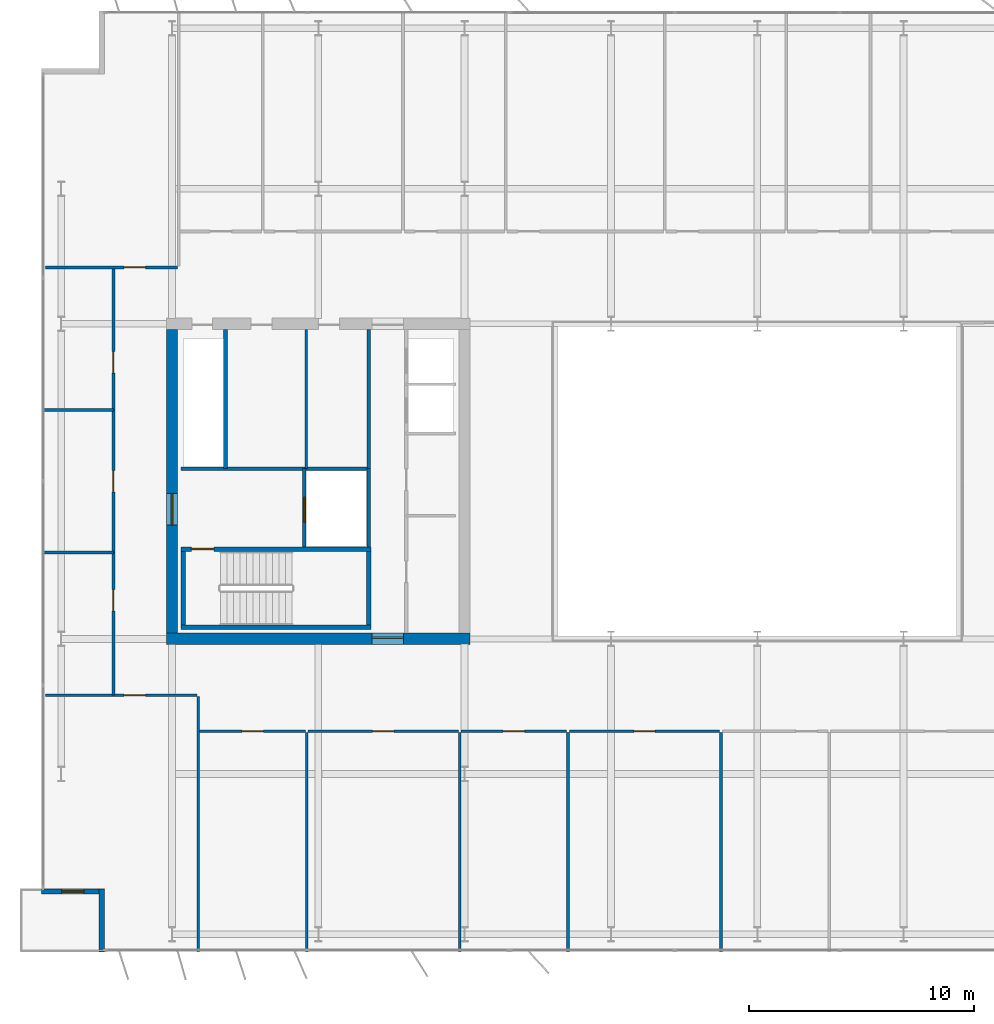
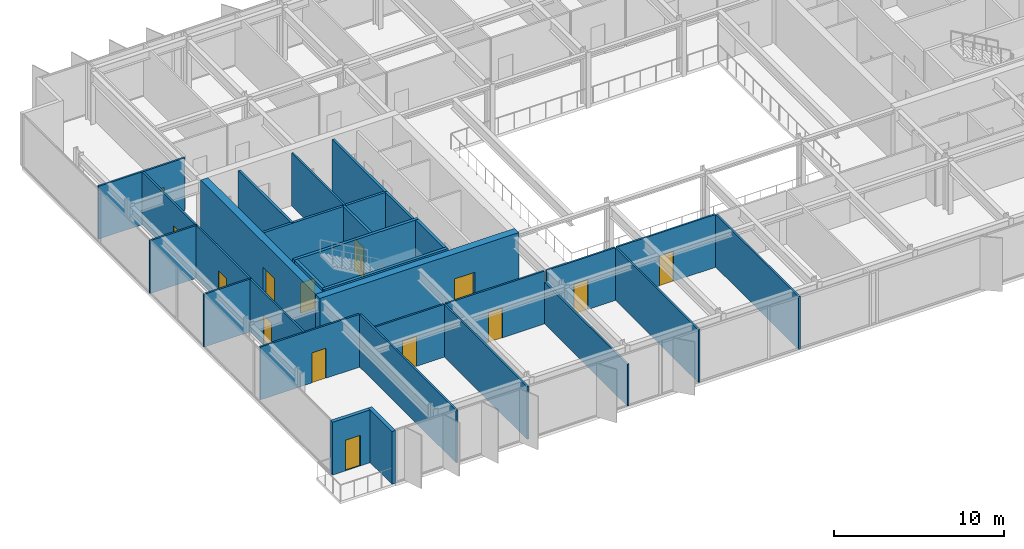
# One storey, part 13 of 20: 30 walls, 14 doors, 14 openings.
"""IFC4 building model written with IfcOpenShell, lengths in metres."""

import ifcopenshell
import ifcopenshell.guid

model = None  # the IFC model being written
_history = None  # IfcOwnerHistory: only IFC2X3 demands one
_inside = {}  # id of a spatial element -> (the spatial element, [elements in it])
_under = {}  # id of a project, library or spatial element -> (it, [spatial elements below it])
_declared = {}  # id of a project -> (the project, [libraries it declares])
_typed = {}  # id of a type object -> (the type object, [elements of that type])
_made_of = {}  # id of a material, layer set ... -> (it, [elements and type objects made of it])


def new_model(schema):
    """Start an empty IFC model of exactly this schema.

    Asked for "IFC4X3", IfcOpenShell would pick the latest addendum, in which some entities
    have other attributes; the version numbers below select the first issue.
    IFC2X3 requires an IfcOwnerHistory on every rooted entity: one is made here for all.
    """
    global model, _history
    if schema == "IFC4X3":
        model = ifcopenshell.file(schema_version=(4, 3, 0, 0))
    else:
        model = ifcopenshell.file(schema=schema)
    _inside.clear()
    _under.clear()
    _declared.clear()
    _typed.clear()
    _made_of.clear()
    _history = None
    if model.schema == "IFC2X3":
        org = make("IfcOrganization", Name="unknown")
        user = make(
            "IfcPersonAndOrganization",
            ThePerson=make("IfcPerson", FamilyName="unknown"),
            TheOrganization=org,
        )
        app = make(
            "IfcApplication",
            ApplicationDeveloper=org,
            Version="unknown",
            ApplicationFullName="unknown",
            ApplicationIdentifier="unknown",
        )
        _history = make(
            "IfcOwnerHistory",
            OwningUser=user,
            OwningApplication=app,
            ChangeAction="ADDED",
            CreationDate=0,
        )
    return model


def make(cls, **values):
    """One entity of the class cls with the attributes given. An attribute that is None is left unset."""
    return model.create_entity(
        cls, **{name: value for name, value in values.items() if value is not None}
    )


def rooted(cls, **values):
    """An entity with a GlobalId (a new one), such as an element, a storey or a relation."""
    return make(cls, GlobalId=ifcopenshell.guid.new(), OwnerHistory=_history, **values)


def si_unit(unit_type, name, prefix=None):
    """IfcSIUnit, for example si_unit("LENGTHUNIT", "METRE", prefix="MILLI")."""
    return make("IfcSIUnit", UnitType=unit_type, Prefix=prefix, Name=name)


def assignment(units):
    """IfcUnitAssignment: the units of a project."""
    return None if units is None else make("IfcUnitAssignment", Units=units)


def point(xyz):
    """IfcCartesianPoint."""
    return None if xyz is None else make("IfcCartesianPoint", Coordinates=xyz)


def direction(xyz):
    """IfcDirection."""
    return None if xyz is None else make("IfcDirection", DirectionRatios=xyz)


def frame(location, z_axis=None, x_axis=None):
    """IfcAxis2Placement3D, a coordinate frame: its origin and axes. An axis left out is left unset."""
    return make(
        "IfcAxis2Placement3D",
        Location=point(location),
        Axis=direction(z_axis),
        RefDirection=direction(x_axis),
    )


def frame_2d(location, x_axis=None):
    """IfcAxis2Placement2D, a coordinate frame in the plane: its origin and x axis."""
    return make(
        "IfcAxis2Placement2D", Location=point(location), RefDirection=direction(x_axis)
    )


def origin():
    """The frame at (0, 0, 0) with its axes left unset."""
    return frame((0.0, 0.0, 0.0))


def place(relative_to, where):
    """IfcLocalPlacement: puts the frame where relative to a parent placement (None: the world)."""
    return make(
        "IfcLocalPlacement", PlacementRelTo=relative_to, RelativePlacement=where
    )


def context(
    kind, dimensions, precision=None, world=None, true_north=None, identifier=None
):
    """IfcGeometricRepresentationContext, for example the 3D "Model" context."""
    return make(
        "IfcGeometricRepresentationContext",
        ContextIdentifier=identifier,
        ContextType=kind,
        CoordinateSpaceDimension=dimensions,
        Precision=precision,
        WorldCoordinateSystem=world,
        TrueNorth=true_north,
    )


def subcontext(parent, identifier, kind, view, scale=None):
    """IfcGeometricRepresentationSubContext, for example "Body" below "Model"."""
    return make(
        "IfcGeometricRepresentationSubContext",
        ContextIdentifier=identifier,
        ContextType=kind,
        ParentContext=parent,
        TargetScale=scale,
        TargetView=view,
    )


def project(units=None, contexts=None):
    """IfcProject with its units and contexts."""
    return rooted(
        "IfcProject",
        Name="project",
        RepresentationContexts=contexts,
        UnitsInContext=assignment(units),
    )


def spatial(cls, under=None, at=None, **own):
    """A site, building, storey or space (cls), placed at a placement, below another one or the project."""
    s = rooted(cls, ObjectPlacement=at, **own)
    if under is not None:
        _under.setdefault(under.id(), (under, []))[1].append(s)
    return s


def profile(cls, at=None, kind="AREA", **sizes):
    """A parametric profile (cls). Its sizes go by their IFC names, for example OverallWidth=200.0."""
    return make(cls, ProfileType=kind, Position=at, **sizes)


def rectangle(**sizes):
    """IfcRectangleProfileDef."""
    return profile("IfcRectangleProfileDef", **sizes)


def extrude(swept, where, along, depth):
    """IfcExtrudedAreaSolid: the profile swept, set in the frame where, extruded along a direction by depth."""
    return make(
        "IfcExtrudedAreaSolid",
        SweptArea=swept,
        Position=where,
        ExtrudedDirection=direction(along),
        Depth=depth,
    )


def shape(context_of_items, identifier, shape_type, items):
    """IfcShapeRepresentation: the items that make up one representation, for example the "Body"."""
    return make(
        "IfcShapeRepresentation",
        ContextOfItems=context_of_items,
        RepresentationIdentifier=identifier,
        RepresentationType=shape_type,
        Items=items,
    )


def material(Name=None, Category=None):
    """IfcMaterial."""
    return make("IfcMaterial", Name=Name, Category=Category)


def layer(
    of_material, thickness, ventilated=None, Name=None, Category=None, Priority=None
):
    """IfcMaterialLayer: one layer of a wall or slab, of a material (None: an air gap)."""
    return make(
        "IfcMaterialLayer",
        Material=of_material,
        LayerThickness=thickness,
        IsVentilated=ventilated,
        Name=Name,
        Category=Category,
        Priority=Priority,
    )


def layer_set(layers, Name=None):
    """IfcMaterialLayerSet."""
    return make("IfcMaterialLayerSet", MaterialLayers=layers, LayerSetName=Name)


def made_of(thing, what):
    """Note that an element or type object is made of a material, layer set ...; save() writes the relation."""
    if what is not None:
        _made_of.setdefault(what.id(), (what, []))[1].append(thing)
    return thing


def type_object(cls, material=None, **own):
    """A type object (cls), such as IfcWallType, which elements share."""
    return made_of(rooted(cls, **own), material)


def element(
    cls,
    number,
    at=None,
    inside=None,
    cuts=None,
    type_object=None,
    material=None,
    context=None,
    identifier="Body",
    shape_type=None,
    held_by="IfcProductDefinitionShape",
    body=None,
    shapes=None,
    **own,
):
    """One element of the class cls, such as IfcWall. Its Tag is "e" and its number.

    at: its placement. inside: the storey or other place that contains it. cuts: it is an
    opening in that element (IfcRelVoidsElement). A single representation is given by context,
    identifier, shape_type and body (its items); several are given by shapes. held_by: the class
    of the entity that holds the representations. save() writes the other relations.
    """
    e = rooted(cls, Tag="e%d" % number, ObjectPlacement=at, **own)
    if body is not None:
        shapes = [shape(context, identifier, shape_type, body)]
    if shapes is not None:
        e.Representation = make(held_by, Representations=shapes)
    if inside is not None:
        _inside.setdefault(inside.id(), (inside, []))[1].append(e)
    if cuts is not None:
        rooted(
            "IfcRelVoidsElement", RelatingBuildingElement=cuts, RelatedOpeningElement=e
        )
    if type_object is not None:
        _typed.setdefault(type_object.id(), (type_object, []))[1].append(e)
    return made_of(e, material)


def fill(opening, filler):
    """IfcRelFillsElement: the door or window that sits in an opening."""
    return rooted(
        "IfcRelFillsElement",
        RelatingOpeningElement=opening,
        RelatedBuildingElement=filler,
    )


def aggregate(whole, parts):
    """IfcRelAggregates: a whole, such as a stair, and the parts it consists of."""
    return rooted("IfcRelAggregates", RelatingObject=whole, RelatedObjects=parts)


def save(model, path):
    """Write the relations noted so far, then the file.

    IfcRelAggregates (storeys below a building ...), IfcRelContainedInSpatialStructure (elements
    in a storey), IfcRelDefinesByType, IfcRelAssociatesMaterial and IfcRelDeclares: one each for
    every whole, place, type object, material and project.
    """
    for whole, parts in _under.values():
        aggregate(whole, parts)
    for where, things in _inside.values():
        rooted(
            "IfcRelContainedInSpatialStructure",
            RelatedElements=things,
            RelatingStructure=where,
        )
    for kind, things in _typed.values():
        rooted("IfcRelDefinesByType", RelatedObjects=things, RelatingType=kind)
    for what, things in _made_of.values():
        rooted("IfcRelAssociatesMaterial", RelatedObjects=things, RelatingMaterial=what)
    for by, libraries in _declared.values():
        rooted("IfcRelDeclares", RelatingContext=by, RelatedDefinitions=libraries)
    model.write(path)


model = new_model("IFC4")

# Units and contexts
model_context = context("Model", 3, precision=1e-05, world=origin(), true_north=direction((0.0, 1.0)))
body_context = subcontext(model_context, "Body", "Model", "MODEL_VIEW")
ifc_project = project(units=[si_unit("LENGTHUNIT", "METRE"), si_unit("AREAUNIT", "SQUARE_METRE"), si_unit("VOLUMEUNIT", "CUBIC_METRE"), si_unit("PLANEANGLEUNIT", "RADIAN"), si_unit("MASSUNIT", "GRAM", prefix="KILO")], contexts=[model_context])

# Site, building, storey
site_placement = place(None, origin())
site = spatial("IfcSite", under=ifc_project, at=site_placement, CompositionType="ELEMENT")
building_placement = place(site_placement, origin())
building = spatial("IfcBuilding", under=site, at=building_placement, Name="Putna Gate Headquarters", CompositionType="ELEMENT")
storey_placement = place(building_placement, frame((0.0, 0.0, 290.39990234375)))
storey = spatial("IfcBuildingStorey", under=building, at=storey_placement, Name="L73", CompositionType="ELEMENT", Elevation=290.39990234375)

# Wall, opening, door
ifc_material_1 = material(Name="Concrete C50/60", Category="concrete")
ifc_layer_1 = layer(ifc_material_1, 0.5)
ifc_layer_set_1 = layer_set([ifc_layer_1], Name="Concrete C50/60")
wall_type_1 = type_object("IfcWallType", Name="WALL-CORE-500", PredefinedType="SHEAR", material=ifc_layer_set_1)
wall_1_placement = place(storey_placement, frame((12.75, 19.0, 0.0), z_axis=(0.0, 0.0, 1.0), x_axis=(1.0, 0.0, 0.0)))
wall_1 = element("IfcWall", 1, at=wall_1_placement, inside=storey, type_object=wall_type_1, Name="L73 WC Split Core Shear Wall S", PredefinedType="SHEAR", context=body_context, shape_type="SweptSolid", body=[
    extrude(rectangle(XDim=13.5, YDim=0.5, at=frame_2d((6.75, 0.0))), origin(), (0.0, 0.0, 1.0), 4.0),
])
opening_1_placement = place(wall_1_placement, frame((9.1298828125, 0.0, 0.0)))
opening_1 = element("IfcOpeningElement", 2, at=opening_1_placement, cuts=wall_1, Name="Opening FDD-140", PredefinedType="OPENING", context=body_context, shape_type="SweptSolid", body=[
    extrude(rectangle(XDim=1.39990234375, YDim=2.199951171875, at=frame_2d((0.699951171875, 1.10009765625))), frame((0.0, 0.260009765625, 0.0), z_axis=(0.0, -1.0, 0.0), x_axis=(1.0, 0.0, 0.0)), (0.0, 0.0, 1.0), 0.52001953125),
])
ifc_material_2 = material(Name="Double steel fire door", Category="steel")
door_type_1 = type_object("IfcDoorType", Name="DOOR-FIRE-DBL-1400", OperationType="DOUBLE_DOOR_SINGLE_SWING", PredefinedType="DOOR", material=ifc_material_2)
door_1_placement = place(opening_1_placement, origin())
door_1 = element("IfcDoor", 3, at=door_1_placement, inside=storey, type_object=door_type_1, Name="L73 West Lift Lobby South Door", OperationType="DOUBLE_DOOR_SINGLE_SWING", OverallHeight=2.199951171875, OverallWidth=1.39990234375, PredefinedType="DOOR", context=body_context, shape_type="SweptSolid", body=[
    extrude(rectangle(XDim=1.39990234375, YDim=2.199951171875, at=frame_2d((0.699951171875, 1.10009765625))), frame((0.0, 0.0751953125, 0.0), z_axis=(0.0, -1.0, 0.0), x_axis=(1.0, 0.0, 0.0)), (0.0, 0.0, 1.0), 0.050048828125),
])
fill(opening_1, door_1)

wall_2_placement = place(storey_placement, frame((13.0, 19.25, 0.0), z_axis=(0.0, 0.0, 1.0), x_axis=(0.0, 1.0, 0.0)))
wall_2 = element("IfcWall", 4, at=wall_2_placement, inside=storey, type_object=wall_type_1, Name="L73 WC Split Core Shear Wall W", PredefinedType="SHEAR", context=body_context, shape_type="SweptSolid", body=[
    extrude(rectangle(XDim=13.5, YDim=0.5, at=frame_2d((6.75, 0.0))), origin(), (0.0, 0.0, 1.0), 4.0),
])
opening_2_placement = place(wall_2_placement, frame((4.800048828125, 0.0, 0.0)))
opening_2 = element("IfcOpeningElement", 5, at=opening_2_placement, cuts=wall_2, Name="Opening FDD-140", PredefinedType="OPENING", context=body_context, shape_type="SweptSolid", body=[
    extrude(rectangle(XDim=1.39990234375, YDim=2.199951171875, at=frame_2d((0.699951171875, 1.10009765625))), frame((0.0, 0.260009765625, 0.0), z_axis=(0.0, -1.0, 0.0), x_axis=(1.0, 0.0, 0.0)), (0.0, 0.0, 1.0), 0.52001953125),
])
door_2_placement = place(opening_2_placement, origin())
door_2 = element("IfcDoor", 6, at=door_2_placement, inside=storey, type_object=door_type_1, Name="L73 West Firefighting Lobby Door", OperationType="DOUBLE_DOOR_SINGLE_SWING", OverallHeight=2.199951171875, OverallWidth=1.39990234375, PredefinedType="DOOR", context=body_context, shape_type="SweptSolid", body=[
    extrude(rectangle(XDim=1.39990234375, YDim=2.199951171875, at=frame_2d((0.699951171875, 1.10009765625))), frame((0.0, 0.02490234375, 0.0), z_axis=(0.0, -1.0, 0.0), x_axis=(1.0, 0.0, 0.0)), (0.0, 0.0, 1.0), 0.050048828125),
])
fill(opening_2, door_2)

# Wall
ifc_material_3 = material(Name="Precast concrete C40/50", Category="concrete")
ifc_layer_2 = layer(ifc_material_3, 0.239990234375)
ifc_layer_set_2 = layer_set([ifc_layer_2], Name="Precast concrete C40/50")
wall_type_2 = type_object("IfcWallType", Name="WALL-EXT-TERR-240", PredefinedType="STANDARD", material=ifc_layer_set_2)
wall_3_placement = place(storey_placement, frame((9.8798828125, 5.10009765625, 0.0), z_axis=(0.0, 0.0, 1.0), x_axis=(0.0, 1.0, 0.0)))
element("IfcWall", 7, at=wall_3_placement, inside=storey, type_object=wall_type_2, Name="L73 Corner Notch Return Wall SW-V", PredefinedType="STANDARD", context=body_context, shape_type="SweptSolid", body=[
    extrude(rectangle(XDim=2.7998046875, YDim=0.239990234375, at=frame_2d((1.39990234375, 0.0))), origin(), (0.0, 0.0, 1.0), 3.7880859375),
])

# Wall, opening, door
wall_4_placement = place(storey_placement, frame((10.0, 7.780029296875, 0.0), z_axis=(0.0, 0.0, 1.0), x_axis=(-1.0, 0.0, 0.0)))
wall_4 = element("IfcWall", 8, at=wall_4_placement, inside=storey, type_object=wall_type_2, Name="L73 Corner Notch Return Wall SW-H", PredefinedType="STANDARD", context=body_context, shape_type="SweptSolid", body=[
    extrude(rectangle(XDim=2.800048828125, YDim=0.239990234375, at=frame_2d((1.39990234375, 0.0))), origin(), (0.0, 0.0, 1.0), 3.7880859375),
])
opening_3_placement = place(wall_4_placement, frame((0.89990234375, 0.0, 0.0)))
opening_3 = element("IfcOpeningElement", 9, at=opening_3_placement, cuts=wall_4, Name="Opening TRD-1", PredefinedType="OPENING", context=body_context, shape_type="SweptSolid", body=[
    extrude(rectangle(XDim=1.0, YDim=2.199951171875, at=frame_2d((0.5, 1.10009765625))), frame((0.0, 0.1298828125, 0.0), z_axis=(0.0, -1.0, 0.0), x_axis=(1.0, 0.0, 0.0)), (0.0, 0.0, 1.0), 0.260009765625),
])
ifc_material_4 = material(Name="Thermally broken bronze glazed terrace door")
door_type_2 = type_object("IfcDoorType", Name="DOOR-TERR-EXT-1000", OperationType="NOTDEFINED", PredefinedType="DOOR", material=ifc_material_4)
door_3_placement = place(opening_3_placement, origin())
door_3 = element("IfcDoor", 10, at=door_3_placement, inside=storey, type_object=door_type_2, Name="L73 Spiral Sky Terrace Door SW", OperationType="SINGLE_SWING_LEFT", OverallHeight=2.199951171875, OverallWidth=1.0, PredefinedType="DOOR", context=body_context, shape_type="SweptSolid", body=[
    extrude(rectangle(XDim=1.0, YDim=2.199951171875, at=frame_2d((0.5, 1.10009765625))), frame((0.0, 0.02490234375, 0.0), z_axis=(0.0, -1.0, 0.0), x_axis=(1.0, 0.0, 0.0)), (0.0, 0.0, 1.0), 0.050048828125),
])
fill(opening_3, door_3)

# Walls
ifc_material_5 = material(Name="Acoustic gypsum board on metal stud")
ifc_layer_3 = layer(ifc_material_5, 0.1201171875)
ifc_layer_set_3 = layer_set([ifc_layer_3], Name="Acoustic gypsum board on metal stud")
wall_type_3 = type_object("IfcWallType", Name="WALL-PART-120", PredefinedType="PARTITIONING", material=ifc_layer_set_3)
wall_5_placement = place(storey_placement, frame((14.174072265625, 5.1201171875, 0.0), z_axis=(0.0, 0.0, 1.0), x_axis=(0.0, 1.0, 0.0)))
element("IfcWall", 11, at=wall_5_placement, inside=storey, type_object=wall_type_3, Name="L73 Interior Wall PART-L73-SB-DIV-01", PredefinedType="PARTITIONING", context=body_context, shape_type="SweptSolid", body=[
    extrude(rectangle(XDim=11.31982421875, YDim=0.1201171875, at=frame_2d((5.659912109375, 0.0))), origin(), (0.0, 0.0, 1.0), 3.7880859375),
])
wall_6_placement = place(storey_placement, frame((18.98681640625, 5.1201171875, 0.0), z_axis=(0.0, 0.0, 1.0), x_axis=(0.0, 1.0, 0.0)))
element("IfcWall", 12, at=wall_6_placement, inside=storey, type_object=wall_type_3, Name="L73 Interior Wall PART-L73-SB-DIV-02", PredefinedType="PARTITIONING", context=body_context, shape_type="SweptSolid", body=[
    extrude(rectangle(XDim=9.719970703125, YDim=0.1201171875, at=frame_2d((4.85986328125, 0.0))), origin(), (0.0, 0.0, 1.0), 3.7880859375),
])
wall_7_placement = place(storey_placement, frame((25.78076171875, 5.1201171875, 0.0), z_axis=(0.0, 0.0, 1.0), x_axis=(0.0, 1.0, 0.0)))
element("IfcWall", 13, at=wall_7_placement, inside=storey, type_object=wall_type_3, Name="L73 Interior Wall PART-L73-SB-DIV-03", PredefinedType="PARTITIONING", context=body_context, shape_type="SweptSolid", body=[
    extrude(rectangle(XDim=9.719970703125, YDim=0.1201171875, at=frame_2d((4.85986328125, 0.0))), origin(), (0.0, 0.0, 1.0), 2.988037109375),
])
for number, where, z_axis, x_axis, name in (
    (14, (30.59326171875, 5.1201171875, 0.0), (0.0, 0.0, 1.0), (0.0, 1.0, 0.0), "L73 Interior Wall PART-L73-SB-DIV-04"),
    (15, (37.387451171875, 5.1201171875, 0.0), (0.0, 0.0, 1.0), (0.0, 1.0, 0.0), "L73 Interior Wall PART-L73-SB-DIV-05"),
):
    element("IfcWall", number, at=place(storey_placement, frame(where, z_axis=z_axis, x_axis=x_axis)), inside=storey, type_object=wall_type_3, Name=name, PredefinedType="PARTITIONING", context=body_context, shape_type="SweptSolid", body=[
        extrude(rectangle(XDim=9.719970703125, YDim=0.1201171875, at=frame_2d((4.85986328125, 0.0))), origin(), (0.0, 0.0, 1.0), 3.7880859375),
    ])
for number, where, z_axis, x_axis, name in (
    (16, (7.219970703125, 22.833251953125, 0.0), (0.0, 0.0, 1.0), (1.0, 0.0, 0.0), "L73 Interior Wall PART-L73-WW-DIV-1"),
    (17, (7.219970703125, 29.166748046875, 0.0), (0.0, 0.0, 1.0), (1.0, 0.0, 0.0), "L73 Interior Wall PART-L73-WW-DIV-2"),
):
    element("IfcWall", number, at=place(storey_placement, frame(where, z_axis=z_axis, x_axis=x_axis)), inside=storey, type_object=wall_type_3, Name=name, PredefinedType="PARTITIONING", context=body_context, shape_type="SweptSolid", body=[
        extrude(rectangle(XDim=3.179931640625, YDim=0.1201171875, at=frame_2d((1.58984375, 0.0))), origin(), (0.0, 0.0, 1.0), 3.7880859375),
    ])
ifc_material_6 = material(Name="Fire-rated gypsum board on metal stud")
ifc_layer_4 = layer(ifc_material_6, 0.1201171875)
ifc_layer_set_4 = layer_set([ifc_layer_4], Name="Fire-rated gypsum board on metal stud")
wall_type_4 = type_object("IfcWallType", Name="WALL-PART-120-RATED", PredefinedType="PARTITIONING", material=ifc_layer_set_4)
wall_8_placement = place(storey_placement, frame((18.969970703125, 26.56005859375, 0.0), z_axis=(0.0, 0.0, 1.0), x_axis=(0.0, 1.0, 0.0)))
element("IfcWall", 18, at=wall_8_placement, inside=storey, type_object=wall_type_4, Name="L73 Interior Wall CWINT-L73-WC-K0-DIV", PredefinedType="PARTITIONING", context=body_context, shape_type="SweptSolid", body=[
    extrude(rectangle(XDim=6.18994140625, YDim=0.1201171875, at=frame_2d((3.094970703125, 0.0))), origin(), (0.0, 0.0, 1.0), 3.7880859375),
])

# Wall, opening, door
wall_9_placement = place(storey_placement, frame((7.3798828125, 35.5, 0.0), z_axis=(0.0, 0.0, 1.0), x_axis=(1.0, 0.0, 0.0)))
wall_9 = element("IfcWall", 19, at=wall_9_placement, inside=storey, type_object=wall_type_4, Name="L73 Interior Wall PART-L73-NB-CW-01", PredefinedType="PARTITIONING", context=body_context, shape_type="SweptSolid", body=[
    extrude(rectangle(XDim=5.864501953125, YDim=0.1201171875, at=frame_2d((2.93212890625, 0.0))), origin(), (0.0, 0.0, 1.0), 3.7880859375),
])
opening_4_placement = place(wall_9_placement, frame((3.5, 0.0, 0.0)))
opening_4 = element("IfcOpeningElement", 20, at=opening_4_placement, cuts=wall_9, Name="Opening FD-95", PredefinedType="OPENING", context=body_context, shape_type="SweptSolid", body=[
    extrude(rectangle(XDim=0.949951171875, YDim=2.14990234375, at=frame_2d((0.47509765625, 1.074951171875))), frame((0.0, 0.070068359375, 0.0), z_axis=(0.0, -1.0, 0.0), x_axis=(1.0, 0.0, 0.0)), (0.0, 0.0, 1.0), 0.14013671875),
])
ifc_material_7 = material(Name="Acoustic timber fire door", Category="wood")
door_type_3 = type_object("IfcDoorType", Name="DOOR-FIRE-950", OperationType="NOTDEFINED", PredefinedType="DOOR", material=ifc_material_7)
door_4_placement = place(opening_4_placement, origin())
door_4 = element("IfcDoor", 21, at=door_4_placement, inside=storey, type_object=door_type_3, Name="L73 Conference Meeting Room 6 Door", OperationType="SINGLE_SWING_RIGHT", OverallHeight=2.14990234375, OverallWidth=0.949951171875, PredefinedType="DOOR", context=body_context, shape_type="SweptSolid", body=[
    extrude(rectangle(XDim=0.949951171875, YDim=2.14990234375, at=frame_2d((0.47509765625, 1.074951171875))), frame((0.0, 0.02490234375, 0.0), z_axis=(0.0, -1.0, 0.0), x_axis=(1.0, 0.0, 0.0)), (0.0, 0.0, 1.0), 0.050048828125),
])
fill(opening_4, door_4)

wall_10_placement = place(storey_placement, frame((7.3798828125, 16.5, 0.0), z_axis=(0.0, 0.0, 1.0), x_axis=(1.0, 0.0, 0.0)))
wall_10 = element("IfcWall", 22, at=wall_10_placement, inside=storey, type_object=wall_type_4, Name="L73 Interior Wall PART-L73-SB-CW-01", PredefinedType="PARTITIONING", context=body_context, shape_type="SweptSolid", body=[
    extrude(rectangle(XDim=6.734130859375, YDim=0.1201171875, at=frame_2d((3.3671875, 0.0))), origin(), (0.0, 0.0, 1.0), 3.7880859375),
])
opening_5_placement = place(wall_10_placement, frame((3.5, 0.0, 0.0)))
opening_5 = element("IfcOpeningElement", 23, at=opening_5_placement, cuts=wall_10, Name="Opening FD-95", PredefinedType="OPENING", context=body_context, shape_type="SweptSolid", body=[
    extrude(rectangle(XDim=0.949951171875, YDim=2.14990234375, at=frame_2d((0.47509765625, 1.074951171875))), frame((0.0, 0.070068359375, 0.0), z_axis=(0.0, -1.0, 0.0), x_axis=(1.0, 0.0, 0.0)), (0.0, 0.0, 1.0), 0.14013671875),
])
door_5_placement = place(opening_5_placement, origin())
door_5 = element("IfcDoor", 24, at=door_5_placement, inside=storey, type_object=door_type_3, Name="L73 Collaborative Breakout Lounge 1 Door", OperationType="SINGLE_SWING_RIGHT", OverallHeight=2.14990234375, OverallWidth=0.949951171875, PredefinedType="DOOR", context=body_context, shape_type="SweptSolid", body=[
    extrude(rectangle(XDim=0.949951171875, YDim=2.14990234375, at=frame_2d((0.47509765625, 1.074951171875))), frame((0.0, 0.02490234375, 0.0), z_axis=(0.0, -1.0, 0.0), x_axis=(1.0, 0.0, 0.0)), (0.0, 0.0, 1.0), 0.050048828125),
])
fill(opening_5, door_5)

wall_11_placement = place(storey_placement, frame((14.234130859375, 14.89990234375, 0.0), z_axis=(0.0, 0.0, 1.0), x_axis=(1.0, 0.0, 0.0)))
wall_11 = element("IfcWall", 25, at=wall_11_placement, inside=storey, type_object=wall_type_4, Name="L73 Interior Wall PART-L73-SB-CW-02", PredefinedType="PARTITIONING", context=body_context, shape_type="SweptSolid", body=[
    extrude(rectangle(XDim=4.692626953125, YDim=0.1201171875, at=frame_2d((2.34619140625, 0.0))), origin(), (0.0, 0.0, 1.0), 3.7880859375),
])
opening_6_placement = place(wall_11_placement, frame((1.871337890625, 0.0, 0.0)))
opening_6 = element("IfcOpeningElement", 26, at=opening_6_placement, cuts=wall_11, Name="Opening FD-95", PredefinedType="OPENING", context=body_context, shape_type="SweptSolid", body=[
    extrude(rectangle(XDim=0.949951171875, YDim=2.14990234375, at=frame_2d((0.47509765625, 1.074951171875))), frame((0.0, 0.070068359375, 0.0), z_axis=(0.0, -1.0, 0.0), x_axis=(1.0, 0.0, 0.0)), (0.0, 0.0, 1.0), 0.14013671875),
])
door_6_placement = place(opening_6_placement, origin())
door_6 = element("IfcDoor", 27, at=door_6_placement, inside=storey, type_object=door_type_3, Name="L73 Conference Meeting Room 1 Door", OperationType="SINGLE_SWING_LEFT", OverallHeight=2.14990234375, OverallWidth=0.949951171875, PredefinedType="DOOR", context=body_context, shape_type="SweptSolid", body=[
    extrude(rectangle(XDim=0.949951171875, YDim=2.14990234375, at=frame_2d((0.47509765625, 1.074951171875))), frame((0.0, 0.02490234375, 0.0), z_axis=(0.0, -1.0, 0.0), x_axis=(1.0, 0.0, 0.0)), (0.0, 0.0, 1.0), 0.050048828125),
])
fill(opening_6, door_6)

wall_12_placement = place(storey_placement, frame((19.046630859375, 14.89990234375, 0.0), z_axis=(0.0, 0.0, 1.0), x_axis=(1.0, 0.0, 0.0)))
wall_12 = element("IfcWall", 28, at=wall_12_placement, inside=storey, type_object=wall_type_4, Name="L73 Interior Wall PART-L73-SB-CW-03", PredefinedType="PARTITIONING", context=body_context, shape_type="SweptSolid", body=[
    extrude(rectangle(XDim=6.674072265625, YDim=0.1201171875, at=frame_2d((3.3369140625, 0.0))), origin(), (0.0, 0.0, 1.0), 3.7880859375),
])
opening_7_placement = place(wall_12_placement, frame((2.862060546875, 0.0, 0.0)))
opening_7 = element("IfcOpeningElement", 29, at=opening_7_placement, cuts=wall_12, Name="Opening FD-95", PredefinedType="OPENING", context=body_context, shape_type="SweptSolid", body=[
    extrude(rectangle(XDim=0.949951171875, YDim=2.14990234375, at=frame_2d((0.47509765625, 1.074951171875))), frame((0.0, 0.070068359375, 0.0), z_axis=(0.0, -1.0, 0.0), x_axis=(1.0, 0.0, 0.0)), (0.0, 0.0, 1.0), 0.14013671875),
])
door_7_placement = place(opening_7_placement, origin())
door_7 = element("IfcDoor", 30, at=door_7_placement, inside=storey, type_object=door_type_3, Name="L73 Conference Meeting Room 2 Door", OperationType="SINGLE_SWING_RIGHT", OverallHeight=2.14990234375, OverallWidth=0.949951171875, PredefinedType="DOOR", context=body_context, shape_type="SweptSolid", body=[
    extrude(rectangle(XDim=0.949951171875, YDim=2.14990234375, at=frame_2d((0.47509765625, 1.074951171875))), frame((0.0, 0.02490234375, 0.0), z_axis=(0.0, -1.0, 0.0), x_axis=(1.0, 0.0, 0.0)), (0.0, 0.0, 1.0), 0.050048828125),
])
fill(opening_7, door_7)

wall_13_placement = place(storey_placement, frame((25.8408203125, 14.89990234375, 0.0), z_axis=(0.0, 0.0, 1.0), x_axis=(1.0, 0.0, 0.0)))
wall_13 = element("IfcWall", 31, at=wall_13_placement, inside=storey, type_object=wall_type_4, Name="L73 Interior Wall PART-L73-SB-CW-04", PredefinedType="PARTITIONING", context=body_context, shape_type="SweptSolid", body=[
    extrude(rectangle(XDim=4.6923828125, YDim=0.1201171875, at=frame_2d((2.34619140625, 0.0))), origin(), (0.0, 0.0, 1.0), 3.7880859375),
])
opening_8_placement = place(wall_13_placement, frame((1.87109375, 0.0, 0.0)))
opening_8 = element("IfcOpeningElement", 32, at=opening_8_placement, cuts=wall_13, Name="Opening FD-95", PredefinedType="OPENING", context=body_context, shape_type="SweptSolid", body=[
    extrude(rectangle(XDim=0.949951171875, YDim=2.14990234375, at=frame_2d((0.47509765625, 1.074951171875))), frame((0.0, 0.070068359375, 0.0), z_axis=(0.0, -1.0, 0.0), x_axis=(1.0, 0.0, 0.0)), (0.0, 0.0, 1.0), 0.14013671875),
])
door_8_placement = place(opening_8_placement, origin())
door_8 = element("IfcDoor", 33, at=door_8_placement, inside=storey, type_object=door_type_3, Name="L73 Conference Meeting Room 3 Door", OperationType="SINGLE_SWING_LEFT", OverallHeight=2.14990234375, OverallWidth=0.949951171875, PredefinedType="DOOR", context=body_context, shape_type="SweptSolid", body=[
    extrude(rectangle(XDim=0.949951171875, YDim=2.14990234375, at=frame_2d((0.47509765625, 1.074951171875))), frame((0.0, 0.02490234375, 0.0), z_axis=(0.0, -1.0, 0.0), x_axis=(1.0, 0.0, 0.0)), (0.0, 0.0, 1.0), 0.050048828125),
])
fill(opening_8, door_8)

wall_14_placement = place(storey_placement, frame((30.6533203125, 14.89990234375, 0.0), z_axis=(0.0, 0.0, 1.0), x_axis=(1.0, 0.0, 0.0)))
wall_14 = element("IfcWall", 34, at=wall_14_placement, inside=storey, type_object=wall_type_4, Name="L73 Interior Wall PART-L73-SB-CW-05", PredefinedType="PARTITIONING", context=body_context, shape_type="SweptSolid", body=[
    extrude(rectangle(XDim=6.674072265625, YDim=0.1201171875, at=frame_2d((3.3369140625, 0.0))), origin(), (0.0, 0.0, 1.0), 3.7880859375),
])
opening_9_placement = place(wall_14_placement, frame((2.862060546875, 0.0, 0.0)))
opening_9 = element("IfcOpeningElement", 35, at=opening_9_placement, cuts=wall_14, Name="Opening FD-95", PredefinedType="OPENING", context=body_context, shape_type="SweptSolid", body=[
    extrude(rectangle(XDim=0.949951171875, YDim=2.14990234375, at=frame_2d((0.47509765625, 1.074951171875))), frame((0.0, 0.070068359375, 0.0), z_axis=(0.0, -1.0, 0.0), x_axis=(1.0, 0.0, 0.0)), (0.0, 0.0, 1.0), 0.14013671875),
])
door_9_placement = place(opening_9_placement, origin())
door_9 = element("IfcDoor", 36, at=door_9_placement, inside=storey, type_object=door_type_3, Name="L73 Conference Meeting Room 4 Door", OperationType="SINGLE_SWING_RIGHT", OverallHeight=2.14990234375, OverallWidth=0.949951171875, PredefinedType="DOOR", context=body_context, shape_type="SweptSolid", body=[
    extrude(rectangle(XDim=0.949951171875, YDim=2.14990234375, at=frame_2d((0.47509765625, 1.074951171875))), frame((0.0, 0.02490234375, 0.0), z_axis=(0.0, -1.0, 0.0), x_axis=(1.0, 0.0, 0.0)), (0.0, 0.0, 1.0), 0.050048828125),
])
fill(opening_9, door_9)

wall_15_placement = place(storey_placement, frame((10.39990234375, 16.5, 0.0), z_axis=(0.0, 0.0, 1.0), x_axis=(0.0, 1.0, 0.0)))
wall_15 = element("IfcWall", 37, at=wall_15_placement, inside=storey, type_object=wall_type_4, Name="L73 Interior Wall PART-L73-WW-CW-1", PredefinedType="PARTITIONING", context=body_context, shape_type="SweptSolid", body=[
    extrude(rectangle(XDim=6.333251953125, YDim=0.1201171875, at=frame_2d((3.16650390625, 0.0))), origin(), (0.0, 0.0, 1.0), 3.7880859375),
])
opening_10_placement = place(wall_15_placement, frame((3.74169921875, 0.0, 0.0)))
opening_10 = element("IfcOpeningElement", 38, at=opening_10_placement, cuts=wall_15, Name="Opening FD-95", PredefinedType="OPENING", context=body_context, shape_type="SweptSolid", body=[
    extrude(rectangle(XDim=0.949951171875, YDim=2.14990234375, at=frame_2d((0.47509765625, 1.074951171875))), frame((0.0, 0.070068359375, 0.0), z_axis=(0.0, -1.0, 0.0), x_axis=(1.0, 0.0, 0.0)), (0.0, 0.0, 1.0), 0.14013671875),
])
door_10_placement = place(opening_10_placement, origin())
door_10 = element("IfcDoor", 39, at=door_10_placement, inside=storey, type_object=door_type_3, Name="L73 West Executive Office 1 Door", OperationType="SINGLE_SWING_RIGHT", OverallHeight=2.14990234375, OverallWidth=0.949951171875, PredefinedType="DOOR", context=body_context, shape_type="SweptSolid", body=[
    extrude(rectangle(XDim=0.949951171875, YDim=2.14990234375, at=frame_2d((0.47509765625, 1.074951171875))), frame((0.0, 0.02490234375, 0.0), z_axis=(0.0, -1.0, 0.0), x_axis=(1.0, 0.0, 0.0)), (0.0, 0.0, 1.0), 0.050048828125),
])
fill(opening_10, door_10)

wall_16_placement = place(storey_placement, frame((10.39990234375, 22.833251953125, 0.0), z_axis=(0.0, 0.0, 1.0), x_axis=(0.0, 1.0, 0.0)))
wall_16 = element("IfcWall", 40, at=wall_16_placement, inside=storey, type_object=wall_type_4, Name="L73 Interior Wall PART-L73-WW-CW-2", PredefinedType="PARTITIONING", context=body_context, shape_type="SweptSolid", body=[
    extrude(rectangle(XDim=6.33349609375, YDim=0.1201171875, at=frame_2d((3.166748046875, 0.0))), origin(), (0.0, 0.0, 1.0), 3.7880859375),
])
opening_11_placement = place(wall_16_placement, frame((2.691650390625, 0.0, 0.0)))
opening_11 = element("IfcOpeningElement", 41, at=opening_11_placement, cuts=wall_16, Name="Opening FD-95", PredefinedType="OPENING", context=body_context, shape_type="SweptSolid", body=[
    extrude(rectangle(XDim=0.949951171875, YDim=2.14990234375, at=frame_2d((0.47509765625, 1.074951171875))), frame((0.0, 0.070068359375, 0.0), z_axis=(0.0, -1.0, 0.0), x_axis=(1.0, 0.0, 0.0)), (0.0, 0.0, 1.0), 0.14013671875),
])
door_11_placement = place(opening_11_placement, origin())
door_11 = element("IfcDoor", 42, at=door_11_placement, inside=storey, type_object=door_type_3, Name="L73 West Executive Office 2 Door", OperationType="SINGLE_SWING_LEFT", OverallHeight=2.14990234375, OverallWidth=0.949951171875, PredefinedType="DOOR", context=body_context, shape_type="SweptSolid", body=[
    extrude(rectangle(XDim=0.949951171875, YDim=2.14990234375, at=frame_2d((0.47509765625, 1.074951171875))), frame((0.0, 0.02490234375, 0.0), z_axis=(0.0, -1.0, 0.0), x_axis=(1.0, 0.0, 0.0)), (0.0, 0.0, 1.0), 0.050048828125),
])
fill(opening_11, door_11)

wall_17_placement = place(storey_placement, frame((10.39990234375, 29.166748046875, 0.0), z_axis=(0.0, 0.0, 1.0), x_axis=(0.0, 1.0, 0.0)))
wall_17 = element("IfcWall", 43, at=wall_17_placement, inside=storey, type_object=wall_type_4, Name="L73 Interior Wall PART-L73-WW-CW-3", PredefinedType="PARTITIONING", context=body_context, shape_type="SweptSolid", body=[
    extrude(rectangle(XDim=6.333251953125, YDim=0.1201171875, at=frame_2d((3.16650390625, 0.0))), origin(), (0.0, 0.0, 1.0), 3.7880859375),
])
opening_12_placement = place(wall_17_placement, frame((1.6416015625, 0.0, 0.0)))
opening_12 = element("IfcOpeningElement", 44, at=opening_12_placement, cuts=wall_17, Name="Opening FD-95", PredefinedType="OPENING", context=body_context, shape_type="SweptSolid", body=[
    extrude(rectangle(XDim=0.949951171875, YDim=2.14990234375, at=frame_2d((0.47509765625, 1.074951171875))), frame((0.0, 0.070068359375, 0.0), z_axis=(0.0, -1.0, 0.0), x_axis=(1.0, 0.0, 0.0)), (0.0, 0.0, 1.0), 0.14013671875),
])
door_12_placement = place(opening_12_placement, origin())
door_12 = element("IfcDoor", 45, at=door_12_placement, inside=storey, type_object=door_type_3, Name="L73 West Project Meeting Room 3 Door", OperationType="SINGLE_SWING_RIGHT", OverallHeight=2.14990234375, OverallWidth=0.949951171875, PredefinedType="DOOR", context=body_context, shape_type="SweptSolid", body=[
    extrude(rectangle(XDim=0.949951171875, YDim=2.14990234375, at=frame_2d((0.47509765625, 1.074951171875))), frame((0.0, 0.02490234375, 0.0), z_axis=(0.0, -1.0, 0.0), x_axis=(1.0, 0.0, 0.0)), (0.0, 0.0, 1.0), 0.050048828125),
])
fill(opening_12, door_12)

# Wall
ifc_material_8 = material(Name="Concrete C40/50", Category="concrete")
ifc_layer_5 = layer(ifc_material_8, 0.159912109375)
ifc_layer_set_5 = layer_set([ifc_layer_5], Name="Concrete C40/50")
wall_type_5 = type_object("IfcWallType", Name="WALL-SHAFT-160", PredefinedType="STANDARD", material=ifc_layer_set_5)
wall_18_placement = place(storey_placement, frame((21.739990234375, 23.090087890625, 0.0), z_axis=(0.0, 0.0, 1.0), x_axis=(0.0, 1.0, 0.0)))
element("IfcWall", 46, at=wall_18_placement, inside=storey, type_object=wall_type_5, Name="L73 Interior Wall CWINT-L73-WC-FFL-E", PredefinedType="STANDARD", context=body_context, shape_type="SweptSolid", body=[
    extrude(rectangle(XDim=3.469970703125, YDim=0.159912109375, at=frame_2d((1.73486328125, 0.0))), origin(), (0.0, 0.0, 1.0), 3.7880859375),
])

# Wall, opening, door
wall_19_placement = place(storey_placement, frame((18.8798828125, 23.090087890625, 0.0), z_axis=(0.0, 0.0, 1.0), x_axis=(0.0, 1.0, 0.0)))
wall_19 = element("IfcWall", 47, at=wall_19_placement, inside=storey, type_object=wall_type_5, Name="L73 Interior Wall CWINT-L73-WC-LF13-W", PredefinedType="STANDARD", context=body_context, shape_type="SweptSolid", body=[
    extrude(rectangle(XDim=3.469970703125, YDim=0.159912109375, at=frame_2d((1.73486328125, 0.0))), origin(), (0.0, 0.0, 1.0), 3.7880859375),
])
opening_13_placement = place(wall_19_placement, frame((1.10009765625, 0.0, 0.0)))
opening_13 = element("IfcOpeningElement", 48, at=opening_13_placement, cuts=wall_19, Name="Opening LD-1", PredefinedType="OPENING", context=body_context, shape_type="SweptSolid", body=[
    extrude(rectangle(XDim=1.10009765625, YDim=2.199951171875, at=frame_2d((0.550048828125, 1.10009765625))), frame((0.0, 0.08984375, 0.0), z_axis=(0.0, -1.0, 0.0), x_axis=(1.0, 0.0, 0.0)), (0.0, 0.0, 1.0), 0.179931640625),
])
ifc_material_9 = material(Name="Brushed bronze stainless lift landing door")
door_type_4 = type_object("IfcDoorType", Name="DOOR-LIFT-1100", OperationType="DOUBLE_DOOR_SLIDING", PredefinedType="DOOR", material=ifc_material_9)
door_13_placement = place(opening_13_placement, origin())
door_13 = element("IfcDoor", 49, at=door_13_placement, inside=storey, type_object=door_type_4, Name="L73 Lift Landing Door LD-13", OperationType="DOUBLE_DOOR_SLIDING", OverallHeight=2.199951171875, OverallWidth=1.10009765625, PredefinedType="DOOR", context=body_context, shape_type="SweptSolid", body=[
    extrude(rectangle(XDim=1.10009765625, YDim=2.199951171875, at=frame_2d((0.550048828125, 1.10009765625))), frame((0.0, 0.02490234375, 0.0), z_axis=(0.0, -1.0, 0.0), x_axis=(1.0, 0.0, 0.0)), (0.0, 0.0, 1.0), 0.050048828125),
])
fill(opening_13, door_13)

# Walls
wall_20_placement = place(storey_placement, frame((13.39990234375, 26.56005859375, 0.0), z_axis=(0.0, 0.0, 1.0), x_axis=(1.0, 0.0, 0.0)))
element("IfcWall", 50, at=wall_20_placement, inside=storey, type_object=wall_type_5, Name="L73 Interior Wall CWINT-L73-WC-FFL-N", PredefinedType="STANDARD", context=body_context, shape_type="SweptSolid", body=[
    extrude(rectangle(XDim=8.340087890625, YDim=0.159912109375, at=frame_2d((4.169921875, 0.0))), origin(), (0.0, 0.0, 1.0), 3.7880859375),
])
for number, where, z_axis, x_axis, name in (
    (51, (15.3798828125, 26.56005859375, 0.0), (0.0, 0.0, 1.0), (0.0, 1.0, 0.0), "L73 Interior Wall CWINT-L73-WC-RISER-E"),
    (52, (21.739990234375, 26.56005859375, 0.0), (0.0, 0.0, 1.0), (0.0, 1.0, 0.0), "L73 Interior Wall CWINT-L73-WC-LOB-W"),
):
    element("IfcWall", number, at=place(storey_placement, frame(where, z_axis=z_axis, x_axis=x_axis)), inside=storey, type_object=wall_type_5, Name=name, PredefinedType="STANDARD", context=body_context, shape_type="SweptSolid", body=[
        extrude(rectangle(XDim=6.18994140625, YDim=0.159912109375, at=frame_2d((3.094970703125, 0.0))), origin(), (0.0, 0.0, 1.0), 3.7880859375),
    ])
ifc_layer_6 = layer(ifc_material_8, 0.199951171875)
ifc_layer_set_6 = layer_set([ifc_layer_6], Name="Concrete C40/50")
wall_type_6 = type_object("IfcWallType", Name="WALL-SHAFT-RC200", PredefinedType="SHEAR", material=ifc_layer_set_6)
wall_21_placement = place(storey_placement, frame((13.409912109375, 19.510009765625, 0.0), z_axis=(0.0, 0.0, 1.0), x_axis=(1.0, 0.0, 0.0)))
element("IfcWall", 53, at=wall_21_placement, inside=storey, type_object=wall_type_6, Name="L73 Stair ST1 Structural Shaft Wall S", PredefinedType="SHEAR", context=body_context, shape_type="SweptSolid", body=[
    extrude(rectangle(XDim=8.43017578125, YDim=0.199951171875, at=frame_2d((4.215087890625, 0.0))), origin(), (0.0, 0.0, 1.0), 4.0),
])

# Wall, opening, door
wall_22_placement = place(storey_placement, frame((13.409912109375, 22.989990234375, 0.0), z_axis=(0.0, 0.0, 1.0), x_axis=(1.0, 0.0, 0.0)))
wall_22 = element("IfcWall", 54, at=wall_22_placement, inside=storey, type_object=wall_type_6, Name="L73 Stair ST1 Structural Shaft Wall N", PredefinedType="SHEAR", context=body_context, shape_type="SweptSolid", body=[
    extrude(rectangle(XDim=8.43017578125, YDim=0.199951171875, at=frame_2d((4.215087890625, 0.0))), origin(), (0.0, 0.0, 1.0), 4.0),
])
opening_14_placement = place(wall_22_placement, frame((0.449951171875, 0.0, 0.0)))
opening_14 = element("IfcOpeningElement", 55, at=opening_14_placement, cuts=wall_22, Name="Opening FD-100", PredefinedType="OPENING", context=body_context, shape_type="SweptSolid", body=[
    extrude(rectangle(XDim=1.0, YDim=2.14990234375, at=frame_2d((0.5, 1.074951171875))), frame((0.0, 0.10986328125, 0.0), z_axis=(0.0, -1.0, 0.0), x_axis=(1.0, 0.0, 0.0)), (0.0, 0.0, 1.0), 0.219970703125),
])
ifc_material_10 = material(Name="Powder-coated steel fire door", Category="steel")
door_type_5 = type_object("IfcDoorType", Name="DOOR-FIRE-1000", OperationType="NOTDEFINED", PredefinedType="DOOR", material=ifc_material_10)
door_14_placement = place(opening_14_placement, origin())
door_14 = element("IfcDoor", 56, at=door_14_placement, inside=storey, type_object=door_type_5, Name="L73 Stair ST1 Fire Door", OperationType="SINGLE_SWING_LEFT", OverallHeight=2.14990234375, OverallWidth=1.0, PredefinedType="DOOR", context=body_context, shape_type="SweptSolid", body=[
    extrude(rectangle(XDim=1.0, YDim=2.14990234375, at=frame_2d((0.5, 1.074951171875))), frame((0.0, 0.02490234375, 0.0), z_axis=(0.0, -1.0, 0.0), x_axis=(1.0, 0.0, 0.0)), (0.0, 0.0, 1.0), 0.050048828125),
])
fill(opening_14, door_14)

# Walls
for number, where, z_axis, x_axis, name in (
    (57, (13.510009765625, 19.610107421875, 0.0), (0.0, 0.0, 1.0), (0.0, 1.0, 0.0), "L73 Stair ST1 Structural Shaft Wall W"),
    (58, (21.739990234375, 19.610107421875, 0.0), (0.0, 0.0, 1.0), (0.0, 1.0, 0.0), "L73 Stair ST1 Structural Shaft Wall E"),
):
    element("IfcWall", number, at=place(storey_placement, frame(where, z_axis=z_axis, x_axis=x_axis)), inside=storey, type_object=wall_type_6, Name=name, PredefinedType="SHEAR", context=body_context, shape_type="SweptSolid", body=[
        extrude(rectangle(XDim=3.27978515625, YDim=0.199951171875, at=frame_2d((1.639892578125, 0.0))), origin(), (0.0, 0.0, 1.0), 4.0),
    ])

save(model, "model.ifc")
